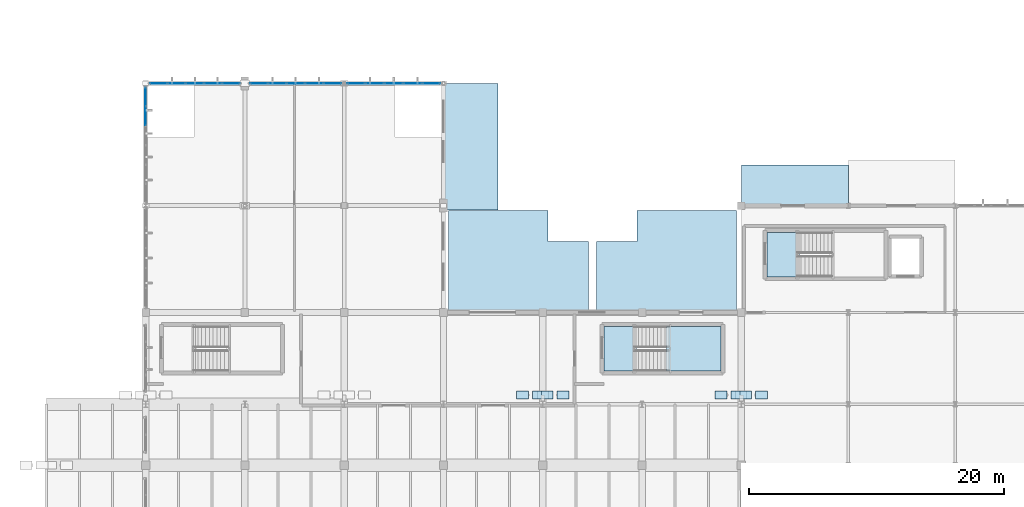
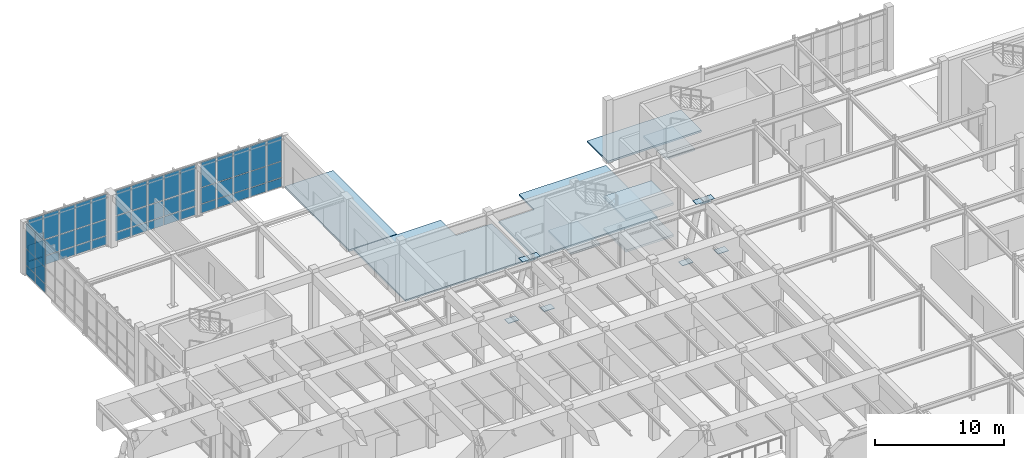
# One storey, part 67 of 110: 61 plates, 8 slabs, 6 elements without a shape of their own.
"""IFC4 building model written with IfcOpenShell, lengths in metres."""

from ifc_helpers import new_model, si_unit, direction, frame, origin, origin_2d, place, context, subcontext, project, spatial, polyline, rectangle, outline, extrude, material, layer, layer_set, type_object, element, aggregate, save


model = new_model("IFC4")

# Units and contexts
model_context = context("Model", 3, precision=1e-05, world=origin(), true_north=direction((0.0, 1.0)))
body_context = subcontext(model_context, "Body", "Model", "MODEL_VIEW")
ifc_project = project(units=[si_unit("LENGTHUNIT", "METRE"), si_unit("AREAUNIT", "SQUARE_METRE"), si_unit("VOLUMEUNIT", "CUBIC_METRE"), si_unit("PLANEANGLEUNIT", "RADIAN"), si_unit("MASSUNIT", "GRAM", prefix="KILO")], contexts=[model_context])

# Site, building, storey
site_placement = place(None, origin())
site = spatial("IfcSite", under=ifc_project, at=site_placement, CompositionType="ELEMENT")
building_placement = place(site_placement, origin())
building = spatial("IfcBuilding", under=site, at=building_placement, Name="Tizgana Railside Sports Hall", CompositionType="ELEMENT")
storey_placement = place(building_placement, origin())
storey = spatial("IfcBuildingStorey", under=building, at=storey_placement, Name="L00", CompositionType="ELEMENT", Elevation=0.0)

# Curtain wall, plates
ifc_material_1 = material(Name="Anodised aluminium and glass", Category="aluminium")
curtain_wall_type_1 = type_object("IfcCurtainWallType", Name="Unitised Curtain Wall Passage 1800", PredefinedType="NOTDEFINED", material=ifc_material_1)
curtain_wall_1_placement = place(storey_placement, origin())
curtain_wall_1 = element("IfcCurtainWall", 1, at=curtain_wall_1_placement, inside=storey, type_object=curtain_wall_type_1, Name="L00 Curtain Wall CW-0149", PredefinedType="NOTDEFINED")
ifc_material_2 = material(Name="Double low-E laminated glass", Category="glass")
ifc_layer_1 = layer(ifc_material_2, 0.033935546875, Name="Double low-E laminated glass")
ifc_layer_set_1 = layer_set([ifc_layer_1], Name="Double low-E laminated glass")
plate_type_1 = type_object("IfcPlateType", Name="Acoustic Laminated Glazing Panel 34", PredefinedType="CURTAIN_PANEL", material=ifc_layer_set_1)
plate_1_placement = place(storey_placement, frame((24.337158203125, 98.39990234375, 0.10009765625), z_axis=(0.0, 0.0, 1.0), x_axis=(1.0, 0.0, 0.0)))
plate_1 = element("IfcPlate", 2, at=plate_1_placement, type_object=plate_type_1, Name="CW-06 panel 1.1", PredefinedType="CURTAIN_PANEL", context=body_context, shape_type="SweptSolid", body=[
    extrude(rectangle(XDim=1.374267578125, YDim=0.033935546875, at=origin_2d()), origin(), (0.0, 0.0, 1.0), 0.8173828125),
])
plate_2_placement = place(storey_placement, frame((24.337158203125, 98.39990234375, 0.972412109375), z_axis=(0.0, 0.0, 1.0), x_axis=(1.0, 0.0, 0.0)))
plate_2 = element("IfcPlate", 3, at=plate_2_placement, type_object=plate_type_1, Name="CW-06 panel 1.2", PredefinedType="CURTAIN_PANEL", context=body_context, shape_type="SweptSolid", body=[
    extrude(rectangle(XDim=1.374267578125, YDim=0.033935546875, at=origin_2d()), origin(), (0.0, 0.0, 1.0), 1.50244140625),
])
plate_3_placement = place(storey_placement, frame((24.337158203125, 98.39990234375, 2.530029296875), z_axis=(0.0, 0.0, 1.0), x_axis=(1.0, 0.0, 0.0)))
plate_3 = element("IfcPlate", 4, at=plate_3_placement, type_object=plate_type_1, Name="CW-06 panel 1.3", PredefinedType="CURTAIN_PANEL", context=body_context, shape_type="SweptSolid", body=[
    extrude(rectangle(XDim=1.374267578125, YDim=0.033935546875, at=origin_2d()), origin(), (0.0, 0.0, 1.0), 2.375),
])
plate_4_placement = place(storey_placement, frame((25.804931640625, 98.39990234375, 0.10009765625), z_axis=(0.0, 0.0, 1.0), x_axis=(1.0, 0.0, 0.0)))
plate_4 = element("IfcPlate", 5, at=plate_4_placement, type_object=plate_type_1, Name="CW-06 panel 2.1", PredefinedType="CURTAIN_PANEL", context=body_context, shape_type="SweptSolid", body=[
    extrude(rectangle(XDim=1.41162109375, YDim=0.033935546875, at=origin_2d()), origin(), (0.0, 0.0, 1.0), 0.8173828125),
])
plate_5_placement = place(storey_placement, frame((25.804931640625, 98.39990234375, 0.972412109375), z_axis=(0.0, 0.0, 1.0), x_axis=(1.0, 0.0, 0.0)))
plate_5 = element("IfcPlate", 6, at=plate_5_placement, type_object=plate_type_1, Name="CW-06 panel 2.2", PredefinedType="CURTAIN_PANEL", context=body_context, shape_type="SweptSolid", body=[
    extrude(rectangle(XDim=1.41162109375, YDim=0.033935546875, at=origin_2d()), origin(), (0.0, 0.0, 1.0), 1.50244140625),
])
plate_6_placement = place(storey_placement, frame((25.804931640625, 98.39990234375, 2.530029296875), z_axis=(0.0, 0.0, 1.0), x_axis=(1.0, 0.0, 0.0)))
plate_6 = element("IfcPlate", 7, at=plate_6_placement, type_object=plate_type_1, Name="CW-06 panel 2.3", PredefinedType="CURTAIN_PANEL", context=body_context, shape_type="SweptSolid", body=[
    extrude(rectangle(XDim=1.41162109375, YDim=0.033935546875, at=origin_2d()), origin(), (0.0, 0.0, 1.0), 2.375),
])
plate_7_placement = place(storey_placement, frame((27.291748046875, 98.39990234375, 0.10009765625), z_axis=(0.0, 0.0, 1.0), x_axis=(1.0, 0.0, 0.0)))
plate_7 = element("IfcPlate", 8, at=plate_7_placement, type_object=plate_type_1, Name="CW-06 panel 3.1", PredefinedType="CURTAIN_PANEL", context=body_context, shape_type="SweptSolid", body=[
    extrude(rectangle(XDim=1.41162109375, YDim=0.033935546875, at=origin_2d()), origin(), (0.0, 0.0, 1.0), 0.8173828125),
])
plate_8_placement = place(storey_placement, frame((27.291748046875, 98.39990234375, 0.972412109375), z_axis=(0.0, 0.0, 1.0), x_axis=(1.0, 0.0, 0.0)))
plate_8 = element("IfcPlate", 9, at=plate_8_placement, type_object=plate_type_1, Name="CW-06 panel 3.2", PredefinedType="CURTAIN_PANEL", context=body_context, shape_type="SweptSolid", body=[
    extrude(rectangle(XDim=1.41162109375, YDim=0.033935546875, at=origin_2d()), origin(), (0.0, 0.0, 1.0), 1.50244140625),
])
plate_9_placement = place(storey_placement, frame((27.291748046875, 98.39990234375, 2.530029296875), z_axis=(0.0, 0.0, 1.0), x_axis=(1.0, 0.0, 0.0)))
plate_9 = element("IfcPlate", 10, at=plate_9_placement, type_object=plate_type_1, Name="CW-06 panel 3.3", PredefinedType="CURTAIN_PANEL", context=body_context, shape_type="SweptSolid", body=[
    extrude(rectangle(XDim=1.41162109375, YDim=0.033935546875, at=origin_2d()), origin(), (0.0, 0.0, 1.0), 2.375),
])
plate_10_placement = place(storey_placement, frame((28.778564453125, 98.39990234375, 0.10009765625), z_axis=(0.0, 0.0, 1.0), x_axis=(1.0, 0.0, 0.0)))
plate_10 = element("IfcPlate", 11, at=plate_10_placement, type_object=plate_type_1, Name="CW-06 panel 4.1", PredefinedType="CURTAIN_PANEL", context=body_context, shape_type="SweptSolid", body=[
    extrude(rectangle(XDim=1.41162109375, YDim=0.033935546875, at=origin_2d()), origin(), (0.0, 0.0, 1.0), 0.8173828125),
])
plate_11_placement = place(storey_placement, frame((28.778564453125, 98.39990234375, 0.972412109375), z_axis=(0.0, 0.0, 1.0), x_axis=(1.0, 0.0, 0.0)))
plate_11 = element("IfcPlate", 12, at=plate_11_placement, type_object=plate_type_1, Name="CW-06 panel 4.2", PredefinedType="CURTAIN_PANEL", context=body_context, shape_type="SweptSolid", body=[
    extrude(rectangle(XDim=1.41162109375, YDim=0.033935546875, at=origin_2d()), origin(), (0.0, 0.0, 1.0), 1.50244140625),
])
plate_12_placement = place(storey_placement, frame((28.778564453125, 98.39990234375, 2.530029296875), z_axis=(0.0, 0.0, 1.0), x_axis=(1.0, 0.0, 0.0)))
plate_12 = element("IfcPlate", 13, at=plate_12_placement, type_object=plate_type_1, Name="CW-06 panel 4.3", PredefinedType="CURTAIN_PANEL", context=body_context, shape_type="SweptSolid", body=[
    extrude(rectangle(XDim=1.41162109375, YDim=0.033935546875, at=origin_2d()), origin(), (0.0, 0.0, 1.0), 2.375),
])
plate_13_placement = place(storey_placement, frame((30.246337890625, 98.39990234375, 0.10009765625), z_axis=(0.0, 0.0, 1.0), x_axis=(1.0, 0.0, 0.0)))
plate_13 = element("IfcPlate", 14, at=plate_13_placement, type_object=plate_type_1, Name="CW-06 panel 5.1", PredefinedType="CURTAIN_PANEL", context=body_context, shape_type="SweptSolid", body=[
    extrude(rectangle(XDim=1.374267578125, YDim=0.033935546875, at=origin_2d()), origin(), (0.0, 0.0, 1.0), 0.8173828125),
])
plate_14_placement = place(storey_placement, frame((30.246337890625, 98.39990234375, 0.972412109375), z_axis=(0.0, 0.0, 1.0), x_axis=(1.0, 0.0, 0.0)))
plate_14 = element("IfcPlate", 15, at=plate_14_placement, type_object=plate_type_1, Name="CW-06 panel 5.2", PredefinedType="CURTAIN_PANEL", context=body_context, shape_type="SweptSolid", body=[
    extrude(rectangle(XDim=1.374267578125, YDim=0.033935546875, at=origin_2d()), origin(), (0.0, 0.0, 1.0), 1.50244140625),
])
plate_15_placement = place(storey_placement, frame((30.246337890625, 98.39990234375, 2.530029296875), z_axis=(0.0, 0.0, 1.0), x_axis=(1.0, 0.0, 0.0)))
plate_15 = element("IfcPlate", 16, at=plate_15_placement, type_object=plate_type_1, Name="CW-06 panel 5.3", PredefinedType="CURTAIN_PANEL", context=body_context, shape_type="SweptSolid", body=[
    extrude(rectangle(XDim=1.374267578125, YDim=0.033935546875, at=origin_2d()), origin(), (0.0, 0.0, 1.0), 2.375),
])
aggregate(curtain_wall_1, [plate_1, plate_2, plate_3, plate_4, plate_5, plate_6, plate_7, plate_8, plate_9, plate_10, plate_11, plate_12, plate_13, plate_14, plate_15])

# Stair, slab
ifc_material_3 = material(Name="Concrete C35/45", Category="concrete")
stair_type_1 = type_object("IfcStairType", Name="Concourse Feature Stair 1800", PredefinedType="HALF_TURN_STAIR", material=ifc_material_3)
stair_1_placement = place(storey_placement, origin())
stair_1 = element("IfcStair", 17, at=stair_1_placement, inside=storey, type_object=stair_type_1, Name="L00 Core Stair ST-04", PredefinedType="HALF_TURN_STAIR")
ifc_layer_2 = layer(ifc_material_3, 0.199951171875, Name="Concrete C35/45")
ifc_layer_set_2 = layer_set([ifc_layer_2], Name="Concrete C35/45")
slab_type_1 = type_object("IfcSlabType", Name="Core Stair Landing Slab 200", PredefinedType="LANDING", material=ifc_layer_set_2)
slab_1_placement = place(storey_placement, frame((0.0, 0.0, 2.800048828125)))
slab_1 = element("IfcSlab", 18, at=slab_1_placement, type_object=slab_type_1, Name="ST-04 landing 2", PredefinedType="LANDING", context=body_context, shape_type="SweptSolid", body=[
    extrude(outline(polyline([(56.60009765625, 83.199951171875), (59.179931640625, 83.199951171875), (59.179931640625, 86.699951171875), (56.60009765625, 86.699951171875), (56.60009765625, 83.199951171875)])), origin(), (0.0, 0.0, 1.0), 0.199951171875),
])
aggregate(stair_1, [slab_1])

# Stair, slabs
stair_type_2 = type_object("IfcStairType", Name="Tournament Court Stair 1600", PredefinedType="HALF_TURN_STAIR", material=ifc_material_3)
stair_2_placement = place(storey_placement, origin())
stair_2 = element("IfcStair", 19, at=stair_2_placement, inside=storey, type_object=stair_type_2, Name="L00 Core Stair ST-06", PredefinedType="HALF_TURN_STAIR")
slab_2_placement = place(storey_placement, frame((0.0, 0.0, 1.300048828125)))
slab_2 = element("IfcSlab", 20, at=slab_2_placement, type_object=slab_type_1, Name="ST-06 landing 1", PredefinedType="LANDING", context=body_context, shape_type="SweptSolid", body=[
    extrude(outline(polyline([(48.719970703125, 75.800048828125), (53.0, 75.800048828125), (53.0, 79.300048828125), (48.719970703125, 79.300048828125), (48.719970703125, 75.800048828125)])), origin(), (0.0, 0.0, 1.0), 0.199951171875),
])
slab_3_placement = place(storey_placement, frame((0.0, 0.0, 2.800048828125)))
slab_3 = element("IfcSlab", 21, at=slab_3_placement, type_object=slab_type_1, Name="ST-06 landing 2", PredefinedType="LANDING", context=body_context, shape_type="SweptSolid", body=[
    extrude(outline(polyline([(43.800048828125, 75.800048828125), (46.3798828125, 75.800048828125), (46.3798828125, 79.300048828125), (43.800048828125, 79.300048828125), (43.800048828125, 75.800048828125)])), origin(), (0.0, 0.0, 1.0), 0.199951171875),
])
slab_4_placement = place(storey_placement, frame((0.0, 0.0, 4.300048828125)))
slab_4 = element("IfcSlab", 22, at=slab_4_placement, type_object=slab_type_1, Name="ST-06 landing 3", PredefinedType="LANDING", context=body_context, shape_type="SweptSolid", body=[
    extrude(outline(polyline([(48.719970703125, 75.800048828125), (53.0, 75.800048828125), (53.0, 79.300048828125), (48.719970703125, 79.300048828125), (48.719970703125, 75.800048828125)])), origin(), (0.0, 0.0, 1.0), 0.199951171875),
])
aggregate(stair_2, [slab_2, slab_3, slab_4])

# Slabs
ifc_layer_3 = layer(ifc_material_3, 0.169921875, Name="Concrete C35/45")
ifc_layer_set_3 = layer_set([ifc_layer_3], Name="Concrete C35/45")
slab_type_2 = type_object("IfcSlabType", Name="Entrance Canopy & Apron Deck 170", PredefinedType="FLOOR", material=ifc_layer_set_3)
slab_5_placement = place(storey_placement, frame((0.0, 0.0, -0.169921875)))
element("IfcSlab", 23, at=slab_5_placement, inside=storey, type_object=slab_type_2, Name="L00 Trackside Promenade Segment 1 SLB-0071", PredefinedType="FLOOR", context=body_context, shape_type="SweptSolid", body=[
    extrude(outline(polyline([(31.60009765625, 80.39990234375), (42.60009765625, 80.39990234375), (42.60009765625, 86.0), (39.39990234375, 86.0), (39.39990234375, 88.39990234375), (31.60009765625, 88.39990234375), (31.60009765625, 80.39990234375)])), origin(), (0.0, 0.0, 1.0), 0.169921875),
])
slab_6_placement = place(storey_placement, frame((0.0, 0.0, -0.169921875)))
element("IfcSlab", 24, at=slab_6_placement, inside=storey, type_object=slab_type_2, Name="L00 Trackside Promenade Segment 2 SLB-0072", PredefinedType="FLOOR", context=body_context, shape_type="SweptSolid", body=[
    extrude(outline(polyline([(43.199951171875, 80.39990234375), (54.199951171875, 80.39990234375), (54.199951171875, 88.39990234375), (46.39990234375, 88.39990234375), (46.39990234375, 86.0), (43.199951171875, 86.0), (43.199951171875, 80.39990234375)])), origin(), (0.0, 0.0, 1.0), 0.169921875),
])
slab_7_placement = place(storey_placement, frame((0.0, 0.0, -0.169921875)))
element("IfcSlab", 25, at=slab_7_placement, inside=storey, type_object=slab_type_2, Name="L00 C4 North Yard Exit Apron APR-0005", PredefinedType="FLOOR", context=body_context, shape_type="SweptSolid", body=[
    extrude(outline(polyline([(54.60009765625, 88.800048828125), (63.0, 88.800048828125), (63.0, 92.0), (54.60009765625, 92.0), (54.60009765625, 88.800048828125)])), origin(), (0.0, 0.0, 1.0), 0.169921875),
])
slab_8_placement = place(storey_placement, frame((0.0, 0.0, -0.169921875)))
element("IfcSlab", 26, at=slab_8_placement, inside=storey, type_object=slab_type_2, Name="L00 NW Wing East Apron APR-0011", PredefinedType="FLOOR", context=body_context, shape_type="SweptSolid", body=[
    extrude(outline(polyline([(31.199951171875, 88.449951171875), (35.5, 88.449951171875), (35.5, 98.39990234375), (31.199951171875, 98.39990234375), (31.199951171875, 88.449951171875)])), origin(), (0.0, 0.0, 1.0), 0.169921875),
])

# Curtain wall, plates
curtain_wall_type_2 = type_object("IfcCurtainWallType", Name="Unitised Curtain Wall Climbing 1600", PredefinedType="NOTDEFINED", material=ifc_material_1)
curtain_wall_2_placement = place(storey_placement, origin())
curtain_wall_2 = element("IfcCurtainWall", 27, at=curtain_wall_2_placement, inside=storey, type_object=curtain_wall_type_2, Name="L00 Curtain Wall CW-0147", PredefinedType="NOTDEFINED")
ifc_layer_4 = layer(ifc_material_2, 0.031982421875, Name="Double low-E laminated glass")
ifc_layer_set_4 = layer_set([ifc_layer_4], Name="Double low-E laminated glass")
plate_type_2 = type_object("IfcPlateType", Name="North-Light Clerestory Glazing Panel 32", PredefinedType="CURTAIN_PANEL", material=ifc_layer_set_4)
plate_16_placement = place(storey_placement, frame((8.812744140625, 98.39990234375, 0.10986328125), z_axis=(0.0, 0.0, 1.0), x_axis=(1.0, 0.0, 0.0)))
plate_16 = element("IfcPlate", 28, at=plate_16_placement, type_object=plate_type_2, Name="CW-04 panel 1.1", PredefinedType="CURTAIN_PANEL", context=body_context, shape_type="SweptSolid", body=[
    extrude(rectangle(XDim=1.33544921875, YDim=0.031982421875, at=origin_2d()), origin(), (0.0, 0.0, 1.0), 0.802490234375),
])
plate_17_placement = place(storey_placement, frame((8.812744140625, 98.39990234375, 0.9775390625), z_axis=(0.0, 0.0, 1.0), x_axis=(1.0, 0.0, 0.0)))
plate_17 = element("IfcPlate", 29, at=plate_17_placement, type_object=plate_type_2, Name="CW-04 panel 1.2", PredefinedType="CURTAIN_PANEL", context=body_context, shape_type="SweptSolid", body=[
    extrude(rectangle(XDim=1.33544921875, YDim=0.031982421875, at=origin_2d()), origin(), (0.0, 0.0, 1.0), 1.492431640625),
])
plate_18_placement = place(storey_placement, frame((8.812744140625, 98.39990234375, 2.53515625), z_axis=(0.0, 0.0, 1.0), x_axis=(1.0, 0.0, 0.0)))
plate_18 = element("IfcPlate", 30, at=plate_18_placement, type_object=plate_type_2, Name="CW-04 panel 1.3", PredefinedType="CURTAIN_PANEL", context=body_context, shape_type="SweptSolid", body=[
    extrude(rectangle(XDim=1.33544921875, YDim=0.031982421875, at=origin_2d()), origin(), (0.0, 0.0, 1.0), 2.360107421875),
])
plate_19_placement = place(storey_placement, frame((10.2294921875, 98.39990234375, 0.10986328125), z_axis=(0.0, 0.0, 1.0), x_axis=(1.0, 0.0, 0.0)))
plate_19 = element("IfcPlate", 31, at=plate_19_placement, type_object=plate_type_2, Name="CW-04 panel 2.1", PredefinedType="CURTAIN_PANEL", context=body_context, shape_type="SweptSolid", body=[
    extrude(rectangle(XDim=1.367919921875, YDim=0.031982421875, at=origin_2d()), origin(), (0.0, 0.0, 1.0), 0.802490234375),
])
plate_20_placement = place(storey_placement, frame((10.2294921875, 98.39990234375, 0.9775390625), z_axis=(0.0, 0.0, 1.0), x_axis=(1.0, 0.0, 0.0)))
plate_20 = element("IfcPlate", 32, at=plate_20_placement, type_object=plate_type_2, Name="CW-04 panel 2.2", PredefinedType="CURTAIN_PANEL", context=body_context, shape_type="SweptSolid", body=[
    extrude(rectangle(XDim=1.367919921875, YDim=0.031982421875, at=origin_2d()), origin(), (0.0, 0.0, 1.0), 1.492431640625),
])
plate_21_placement = place(storey_placement, frame((10.2294921875, 98.39990234375, 2.53515625), z_axis=(0.0, 0.0, 1.0), x_axis=(1.0, 0.0, 0.0)))
plate_21 = element("IfcPlate", 33, at=plate_21_placement, type_object=plate_type_2, Name="CW-04 panel 2.3", PredefinedType="CURTAIN_PANEL", context=body_context, shape_type="SweptSolid", body=[
    extrude(rectangle(XDim=1.367919921875, YDim=0.031982421875, at=origin_2d()), origin(), (0.0, 0.0, 1.0), 2.360107421875),
])
plate_22_placement = place(storey_placement, frame((11.66259765625, 98.39990234375, 0.10986328125), z_axis=(0.0, 0.0, 1.0), x_axis=(1.0, 0.0, 0.0)))
plate_22 = element("IfcPlate", 34, at=plate_22_placement, type_object=plate_type_2, Name="CW-04 panel 3.1", PredefinedType="CURTAIN_PANEL", context=body_context, shape_type="SweptSolid", body=[
    extrude(rectangle(XDim=1.367919921875, YDim=0.031982421875, at=origin_2d()), origin(), (0.0, 0.0, 1.0), 0.802490234375),
])
plate_23_placement = place(storey_placement, frame((11.66259765625, 98.39990234375, 0.9775390625), z_axis=(0.0, 0.0, 1.0), x_axis=(1.0, 0.0, 0.0)))
plate_23 = element("IfcPlate", 35, at=plate_23_placement, type_object=plate_type_2, Name="CW-04 panel 3.2", PredefinedType="CURTAIN_PANEL", context=body_context, shape_type="SweptSolid", body=[
    extrude(rectangle(XDim=1.367919921875, YDim=0.031982421875, at=origin_2d()), origin(), (0.0, 0.0, 1.0), 1.492431640625),
])
plate_24_placement = place(storey_placement, frame((11.66259765625, 98.39990234375, 2.53515625), z_axis=(0.0, 0.0, 1.0), x_axis=(1.0, 0.0, 0.0)))
plate_24 = element("IfcPlate", 36, at=plate_24_placement, type_object=plate_type_2, Name="CW-04 panel 3.3", PredefinedType="CURTAIN_PANEL", context=body_context, shape_type="SweptSolid", body=[
    extrude(rectangle(XDim=1.367919921875, YDim=0.031982421875, at=origin_2d()), origin(), (0.0, 0.0, 1.0), 2.360107421875),
])
plate_25_placement = place(storey_placement, frame((13.095458984375, 98.39990234375, 0.10986328125), z_axis=(0.0, 0.0, 1.0), x_axis=(1.0, 0.0, 0.0)))
plate_25 = element("IfcPlate", 37, at=plate_25_placement, type_object=plate_type_2, Name="CW-04 panel 4.1", PredefinedType="CURTAIN_PANEL", context=body_context, shape_type="SweptSolid", body=[
    extrude(rectangle(XDim=1.367919921875, YDim=0.031982421875, at=origin_2d()), origin(), (0.0, 0.0, 1.0), 0.802490234375),
])
plate_26_placement = place(storey_placement, frame((13.095458984375, 98.39990234375, 0.9775390625), z_axis=(0.0, 0.0, 1.0), x_axis=(1.0, 0.0, 0.0)))
plate_26 = element("IfcPlate", 38, at=plate_26_placement, type_object=plate_type_2, Name="CW-04 panel 4.2", PredefinedType="CURTAIN_PANEL", context=body_context, shape_type="SweptSolid", body=[
    extrude(rectangle(XDim=1.367919921875, YDim=0.031982421875, at=origin_2d()), origin(), (0.0, 0.0, 1.0), 1.492431640625),
])
plate_27_placement = place(storey_placement, frame((13.095458984375, 98.39990234375, 2.53515625), z_axis=(0.0, 0.0, 1.0), x_axis=(1.0, 0.0, 0.0)))
plate_27 = element("IfcPlate", 39, at=plate_27_placement, type_object=plate_type_2, Name="CW-04 panel 4.3", PredefinedType="CURTAIN_PANEL", context=body_context, shape_type="SweptSolid", body=[
    extrude(rectangle(XDim=1.367919921875, YDim=0.031982421875, at=origin_2d()), origin(), (0.0, 0.0, 1.0), 2.360107421875),
])
plate_28_placement = place(storey_placement, frame((14.51220703125, 98.39990234375, 0.10986328125), z_axis=(0.0, 0.0, 1.0), x_axis=(1.0, 0.0, 0.0)))
plate_28 = element("IfcPlate", 40, at=plate_28_placement, type_object=plate_type_2, Name="CW-04 panel 5.1", PredefinedType="CURTAIN_PANEL", context=body_context, shape_type="SweptSolid", body=[
    extrude(rectangle(XDim=1.33544921875, YDim=0.031982421875, at=origin_2d()), origin(), (0.0, 0.0, 1.0), 0.802490234375),
])
plate_29_placement = place(storey_placement, frame((14.51220703125, 98.39990234375, 0.9775390625), z_axis=(0.0, 0.0, 1.0), x_axis=(1.0, 0.0, 0.0)))
plate_29 = element("IfcPlate", 41, at=plate_29_placement, type_object=plate_type_2, Name="CW-04 panel 5.2", PredefinedType="CURTAIN_PANEL", context=body_context, shape_type="SweptSolid", body=[
    extrude(rectangle(XDim=1.33544921875, YDim=0.031982421875, at=origin_2d()), origin(), (0.0, 0.0, 1.0), 1.492431640625),
])
plate_30_placement = place(storey_placement, frame((14.51220703125, 98.39990234375, 2.53515625), z_axis=(0.0, 0.0, 1.0), x_axis=(1.0, 0.0, 0.0)))
plate_30 = element("IfcPlate", 42, at=plate_30_placement, type_object=plate_type_2, Name="CW-04 panel 5.3", PredefinedType="CURTAIN_PANEL", context=body_context, shape_type="SweptSolid", body=[
    extrude(rectangle(XDim=1.33544921875, YDim=0.031982421875, at=origin_2d()), origin(), (0.0, 0.0, 1.0), 2.360107421875),
])
aggregate(curtain_wall_2, [plate_16, plate_17, plate_18, plate_19, plate_20, plate_21, plate_22, plate_23, plate_24, plate_25, plate_26, plate_27, plate_28, plate_29, plate_30])

curtain_wall_type_3 = type_object("IfcCurtainWallType", Name="Unitised Curtain Wall EastHall 1500", PredefinedType="NOTDEFINED", material=ifc_material_1)
curtain_wall_3_placement = place(storey_placement, origin())
curtain_wall_3 = element("IfcCurtainWall", 43, at=curtain_wall_3_placement, inside=storey, type_object=curtain_wall_type_3, Name="L00 Curtain Wall CW-0151", PredefinedType="NOTDEFINED")
plate_31_placement = place(storey_placement, frame((7.800048828125, 97.343017578125, 0.10498046875), z_axis=(0.0, 0.0, 1.0), x_axis=(0.0, -1.0, 0.0)))
plate_31 = element("IfcPlate", 44, at=plate_31_placement, type_object=plate_type_2, Name="CW-08 panel 1.1", PredefinedType="CURTAIN_PANEL", context=body_context, shape_type="SweptSolid", body=[
    extrude(rectangle(XDim=1.43408203125, YDim=0.031982421875, at=origin_2d()), origin(), (0.0, 0.0, 1.0), 0.81005859375),
])
plate_32_placement = place(storey_placement, frame((7.800048828125, 97.343017578125, 0.974853515625), z_axis=(0.0, 0.0, 1.0), x_axis=(0.0, -1.0, 0.0)))
plate_32 = element("IfcPlate", 45, at=plate_32_placement, type_object=plate_type_2, Name="CW-08 panel 1.2", PredefinedType="CURTAIN_PANEL", context=body_context, shape_type="SweptSolid", body=[
    extrude(rectangle(XDim=1.43408203125, YDim=0.031982421875, at=origin_2d()), origin(), (0.0, 0.0, 1.0), 1.49755859375),
])
plate_33_placement = place(storey_placement, frame((7.800048828125, 97.343017578125, 2.53271484375), z_axis=(0.0, 0.0, 1.0), x_axis=(0.0, -1.0, 0.0)))
plate_33 = element("IfcPlate", 46, at=plate_33_placement, type_object=plate_type_2, Name="CW-08 panel 1.3", PredefinedType="CURTAIN_PANEL", context=body_context, shape_type="SweptSolid", body=[
    extrude(rectangle(XDim=1.43408203125, YDim=0.031982421875, at=origin_2d()), origin(), (0.0, 0.0, 1.0), 2.367431640625),
])
plate_34_placement = place(storey_placement, frame((7.800048828125, 95.833740234375, 0.10498046875), z_axis=(0.0, 0.0, 1.0), x_axis=(0.0, -1.0, 0.0)))
plate_34 = element("IfcPlate", 47, at=plate_34_placement, type_object=plate_type_2, Name="CW-08 panel 2.1", PredefinedType="CURTAIN_PANEL", context=body_context, shape_type="SweptSolid", body=[
    extrude(rectangle(XDim=1.464111328125, YDim=0.031982421875, at=origin_2d()), origin(), (0.0, 0.0, 1.0), 0.81005859375),
])
plate_35_placement = place(storey_placement, frame((7.800048828125, 95.833740234375, 0.974853515625), z_axis=(0.0, 0.0, 1.0), x_axis=(0.0, -1.0, 0.0)))
plate_35 = element("IfcPlate", 48, at=plate_35_placement, type_object=plate_type_2, Name="CW-08 panel 2.2", PredefinedType="CURTAIN_PANEL", context=body_context, shape_type="SweptSolid", body=[
    extrude(rectangle(XDim=1.464111328125, YDim=0.031982421875, at=origin_2d()), origin(), (0.0, 0.0, 1.0), 1.49755859375),
])
plate_36_placement = place(storey_placement, frame((7.800048828125, 95.833740234375, 2.53271484375), z_axis=(0.0, 0.0, 1.0), x_axis=(0.0, -1.0, 0.0)))
plate_36 = element("IfcPlate", 49, at=plate_36_placement, type_object=plate_type_2, Name="CW-08 panel 2.3", PredefinedType="CURTAIN_PANEL", context=body_context, shape_type="SweptSolid", body=[
    extrude(rectangle(XDim=1.464111328125, YDim=0.031982421875, at=origin_2d()), origin(), (0.0, 0.0, 1.0), 2.367431640625),
])
aggregate(curtain_wall_3, [plate_31, plate_32, plate_33, plate_34, plate_35, plate_36])

curtain_wall_type_4 = type_object("IfcCurtainWallType", Name="Unitised Curtain Wall Clinic 1200", PredefinedType="NOTDEFINED", material=ifc_material_1)
curtain_wall_4_placement = place(storey_placement, origin())
curtain_wall_4 = element("IfcCurtainWall", 50, at=curtain_wall_4_placement, inside=storey, type_object=curtain_wall_type_4, Name="L00 Curtain Wall CW-0148", PredefinedType="NOTDEFINED")
ifc_layer_5 = layer(ifc_material_2, 0.028076171875, Name="Double low-E laminated glass")
ifc_layer_set_5 = layer_set([ifc_layer_5], Name="Double low-E laminated glass")
plate_type_3 = type_object("IfcPlateType", Name="Solar Low-E Glazing Panel 28", PredefinedType="CURTAIN_PANEL", material=ifc_layer_set_5)
plate_37_placement = place(storey_placement, frame((16.699462890625, 98.39990234375, 0.114990234375), z_axis=(0.0, 0.0, 1.0), x_axis=(1.0, 0.0, 0.0)))
plate_37 = element("IfcPlate", 51, at=plate_37_placement, type_object=plate_type_3, Name="CW-05 panel 1.1", PredefinedType="CURTAIN_PANEL", context=body_context, shape_type="SweptSolid", body=[
    extrude(rectangle(XDim=1.34912109375, YDim=0.028076171875, at=origin_2d()), origin(), (0.0, 0.0, 1.0), 0.794921875),
])
plate_38_placement = place(storey_placement, frame((16.699462890625, 98.39990234375, 0.97998046875), z_axis=(0.0, 0.0, 1.0), x_axis=(1.0, 0.0, 0.0)))
plate_38 = element("IfcPlate", 52, at=plate_38_placement, type_object=plate_type_3, Name="CW-05 panel 1.2", PredefinedType="CURTAIN_PANEL", context=body_context, shape_type="SweptSolid", body=[
    extrude(rectangle(XDim=1.34912109375, YDim=0.028076171875, at=origin_2d()), origin(), (0.0, 0.0, 1.0), 1.487548828125),
])
plate_39_placement = place(storey_placement, frame((16.699462890625, 98.39990234375, 2.53759765625), z_axis=(0.0, 0.0, 1.0), x_axis=(1.0, 0.0, 0.0)))
plate_39 = element("IfcPlate", 53, at=plate_39_placement, type_object=plate_type_3, Name="CW-05 panel 1.3", PredefinedType="CURTAIN_PANEL", context=body_context, shape_type="SweptSolid", body=[
    extrude(rectangle(XDim=1.34912109375, YDim=0.028076171875, at=origin_2d()), origin(), (0.0, 0.0, 1.0), 2.3525390625),
])
plate_40_placement = place(storey_placement, frame((18.135986328125, 98.39990234375, 0.114990234375), z_axis=(0.0, 0.0, 1.0), x_axis=(1.0, 0.0, 0.0)))
plate_40 = element("IfcPlate", 54, at=plate_40_placement, type_object=plate_type_3, Name="CW-05 panel 2.1", PredefinedType="CURTAIN_PANEL", context=body_context, shape_type="SweptSolid", body=[
    extrude(rectangle(XDim=1.384033203125, YDim=0.028076171875, at=origin_2d()), origin(), (0.0, 0.0, 1.0), 0.794921875),
])
plate_41_placement = place(storey_placement, frame((18.135986328125, 98.39990234375, 0.97998046875), z_axis=(0.0, 0.0, 1.0), x_axis=(1.0, 0.0, 0.0)))
plate_41 = element("IfcPlate", 55, at=plate_41_placement, type_object=plate_type_3, Name="CW-05 panel 2.2", PredefinedType="CURTAIN_PANEL", context=body_context, shape_type="SweptSolid", body=[
    extrude(rectangle(XDim=1.384033203125, YDim=0.028076171875, at=origin_2d()), origin(), (0.0, 0.0, 1.0), 1.487548828125),
])
plate_42_placement = place(storey_placement, frame((18.135986328125, 98.39990234375, 2.53759765625), z_axis=(0.0, 0.0, 1.0), x_axis=(1.0, 0.0, 0.0)))
plate_42 = element("IfcPlate", 56, at=plate_42_placement, type_object=plate_type_3, Name="CW-05 panel 2.3", PredefinedType="CURTAIN_PANEL", context=body_context, shape_type="SweptSolid", body=[
    extrude(rectangle(XDim=1.384033203125, YDim=0.028076171875, at=origin_2d()), origin(), (0.0, 0.0, 1.0), 2.3525390625),
])
plate_43_placement = place(storey_placement, frame((19.590087890625, 98.39990234375, 0.114990234375), z_axis=(0.0, 0.0, 1.0), x_axis=(1.0, 0.0, 0.0)))
plate_43 = element("IfcPlate", 57, at=plate_43_placement, type_object=plate_type_3, Name="CW-05 panel 3.1", PredefinedType="CURTAIN_PANEL", context=body_context, shape_type="SweptSolid", body=[
    extrude(rectangle(XDim=1.384033203125, YDim=0.028076171875, at=origin_2d()), origin(), (0.0, 0.0, 1.0), 0.794921875),
])
plate_44_placement = place(storey_placement, frame((19.590087890625, 98.39990234375, 0.97998046875), z_axis=(0.0, 0.0, 1.0), x_axis=(1.0, 0.0, 0.0)))
plate_44 = element("IfcPlate", 58, at=plate_44_placement, type_object=plate_type_3, Name="CW-05 panel 3.2", PredefinedType="CURTAIN_PANEL", context=body_context, shape_type="SweptSolid", body=[
    extrude(rectangle(XDim=1.384033203125, YDim=0.028076171875, at=origin_2d()), origin(), (0.0, 0.0, 1.0), 1.487548828125),
])
plate_45_placement = place(storey_placement, frame((19.590087890625, 98.39990234375, 2.53759765625), z_axis=(0.0, 0.0, 1.0), x_axis=(1.0, 0.0, 0.0)))
plate_45 = element("IfcPlate", 59, at=plate_45_placement, type_object=plate_type_3, Name="CW-05 panel 3.3", PredefinedType="CURTAIN_PANEL", context=body_context, shape_type="SweptSolid", body=[
    extrude(rectangle(XDim=1.384033203125, YDim=0.028076171875, at=origin_2d()), origin(), (0.0, 0.0, 1.0), 2.3525390625),
])
plate_46_placement = place(storey_placement, frame((21.0439453125, 98.39990234375, 0.114990234375), z_axis=(0.0, 0.0, 1.0), x_axis=(1.0, 0.0, 0.0)))
plate_46 = element("IfcPlate", 60, at=plate_46_placement, type_object=plate_type_3, Name="CW-05 panel 4.1", PredefinedType="CURTAIN_PANEL", context=body_context, shape_type="SweptSolid", body=[
    extrude(rectangle(XDim=1.384033203125, YDim=0.028076171875, at=origin_2d()), origin(), (0.0, 0.0, 1.0), 0.794921875),
])
plate_47_placement = place(storey_placement, frame((21.0439453125, 98.39990234375, 0.97998046875), z_axis=(0.0, 0.0, 1.0), x_axis=(1.0, 0.0, 0.0)))
plate_47 = element("IfcPlate", 61, at=plate_47_placement, type_object=plate_type_3, Name="CW-05 panel 4.2", PredefinedType="CURTAIN_PANEL", context=body_context, shape_type="SweptSolid", body=[
    extrude(rectangle(XDim=1.384033203125, YDim=0.028076171875, at=origin_2d()), origin(), (0.0, 0.0, 1.0), 1.487548828125),
])
plate_48_placement = place(storey_placement, frame((21.0439453125, 98.39990234375, 2.53759765625), z_axis=(0.0, 0.0, 1.0), x_axis=(1.0, 0.0, 0.0)))
plate_48 = element("IfcPlate", 62, at=plate_48_placement, type_object=plate_type_3, Name="CW-05 panel 4.3", PredefinedType="CURTAIN_PANEL", context=body_context, shape_type="SweptSolid", body=[
    extrude(rectangle(XDim=1.384033203125, YDim=0.028076171875, at=origin_2d()), origin(), (0.0, 0.0, 1.0), 2.3525390625),
])
plate_49_placement = place(storey_placement, frame((22.48046875, 98.39990234375, 0.114990234375), z_axis=(0.0, 0.0, 1.0), x_axis=(1.0, 0.0, 0.0)))
plate_49 = element("IfcPlate", 63, at=plate_49_placement, type_object=plate_type_3, Name="CW-05 panel 5.1", PredefinedType="CURTAIN_PANEL", context=body_context, shape_type="SweptSolid", body=[
    extrude(rectangle(XDim=1.34912109375, YDim=0.028076171875, at=origin_2d()), origin(), (0.0, 0.0, 1.0), 0.794921875),
])
plate_50_placement = place(storey_placement, frame((22.48046875, 98.39990234375, 0.97998046875), z_axis=(0.0, 0.0, 1.0), x_axis=(1.0, 0.0, 0.0)))
plate_50 = element("IfcPlate", 64, at=plate_50_placement, type_object=plate_type_3, Name="CW-05 panel 5.2", PredefinedType="CURTAIN_PANEL", context=body_context, shape_type="SweptSolid", body=[
    extrude(rectangle(XDim=1.34912109375, YDim=0.028076171875, at=origin_2d()), origin(), (0.0, 0.0, 1.0), 1.487548828125),
])
plate_51_placement = place(storey_placement, frame((22.48046875, 98.39990234375, 2.53759765625), z_axis=(0.0, 0.0, 1.0), x_axis=(1.0, 0.0, 0.0)))
plate_51 = element("IfcPlate", 65, at=plate_51_placement, type_object=plate_type_3, Name="CW-05 panel 5.3", PredefinedType="CURTAIN_PANEL", context=body_context, shape_type="SweptSolid", body=[
    extrude(rectangle(XDim=1.34912109375, YDim=0.028076171875, at=origin_2d()), origin(), (0.0, 0.0, 1.0), 2.3525390625),
])
aggregate(curtain_wall_4, [plate_37, plate_38, plate_39, plate_40, plate_41, plate_42, plate_43, plate_44, plate_45, plate_46, plate_47, plate_48, plate_49, plate_50, plate_51])

# Plates
ifc_material_4 = material(Name="Steel S355J2", Category="steel")
ifc_layer_6 = layer(ifc_material_4, 0.0419921875, Name="Steel S355J2")
ifc_layer_set_6 = layer_set([ifc_layer_6], Name="Steel S355J2")
plate_type_4 = type_object("IfcPlateType", Name="V-Column Apex Node Plate 920x620x42", PredefinedType="USERDEFINED", material=ifc_layer_set_6)
for number, where, z_axis, x_axis, name in (
    (66, (38.659912109375, 73.919921875, 5.35888671875), (0.0, 0.0, 1.0), (1.0, 0.0, 0.0), "L00 V-Leg Apex Cap Plate"),
    (67, (39.340087890625, 73.919921875, 5.35888671875), (0.0, 0.0, 1.0), (1.0, 0.0, 0.0), "L00 V-Leg Apex Cap Plate"),
    (68, (39.0, 73.919921875, 5.22900390625), (0.0, 0.0, 1.0), (1.0, 0.0, 0.0), "L00 PLT-0018"),
    (69, (54.260009765625, 73.919921875, 5.35888671875), (0.0, 0.0, 1.0), (1.0, 0.0, 0.0), "L00 V-Leg Apex Cap Plate"),
    (70, (54.93994140625, 73.919921875, 5.35888671875), (0.0, 0.0, 1.0), (1.0, 0.0, 0.0), "L00 V-Leg Apex Cap Plate"),
    (71, (54.60009765625, 73.919921875, 5.22900390625), (0.0, 0.0, 1.0), (1.0, 0.0, 0.0), "L00 PLT-0024"),
):
    element("IfcPlate", number, at=place(storey_placement, frame(where, z_axis=z_axis, x_axis=x_axis)), inside=storey, type_object=plate_type_4, Name=name, ObjectType="GUSSET_PLATE", PredefinedType="USERDEFINED", context=body_context, shape_type="SweptSolid", body=[
        extrude(rectangle(XDim=0.919921875, YDim=0.6201171875, at=origin_2d()), origin(), (0.0, 0.0, 1.0), 0.0419921875),
    ])
ifc_layer_7 = layer(ifc_material_4, 0.044921875, Name="Steel S355J2")
ifc_layer_set_7 = layer_set([ifc_layer_7], Name="Steel S355J2")
plate_type_5 = type_object("IfcPlateType", Name="V-Column Base Plate 950x650x45", PredefinedType="USERDEFINED", material=ifc_layer_set_7)
for number, where, z_axis, x_axis, name in (
    (72, (37.405029296875, 73.919921875, 0.0), (0.0, 0.0, 1.0), (1.0, 0.0, 0.0), "L00 PLT-0016"),
    (73, (40.594970703125, 73.919921875, 0.0), (0.0, 0.0, 1.0), (1.0, 0.0, 0.0), "L00 PLT-0017"),
    (74, (53.0048828125, 73.919921875, 0.0), (0.0, 0.0, 1.0), (1.0, 0.0, 0.0), "L00 PLT-0022"),
    (75, (56.195068359375, 73.919921875, 0.0), (0.0, 0.0, 1.0), (1.0, 0.0, 0.0), "L00 PLT-0023"),
):
    element("IfcPlate", number, at=place(storey_placement, frame(where, z_axis=z_axis, x_axis=x_axis)), inside=storey, type_object=plate_type_5, Name=name, ObjectType="BASE_PLATE", PredefinedType="USERDEFINED", context=body_context, shape_type="SweptSolid", body=[
        extrude(rectangle(XDim=0.949951171875, YDim=0.64990234375, at=origin_2d()), origin(), (0.0, 0.0, 1.0), 0.044921875),
    ])

save(model, "model.ifc")
